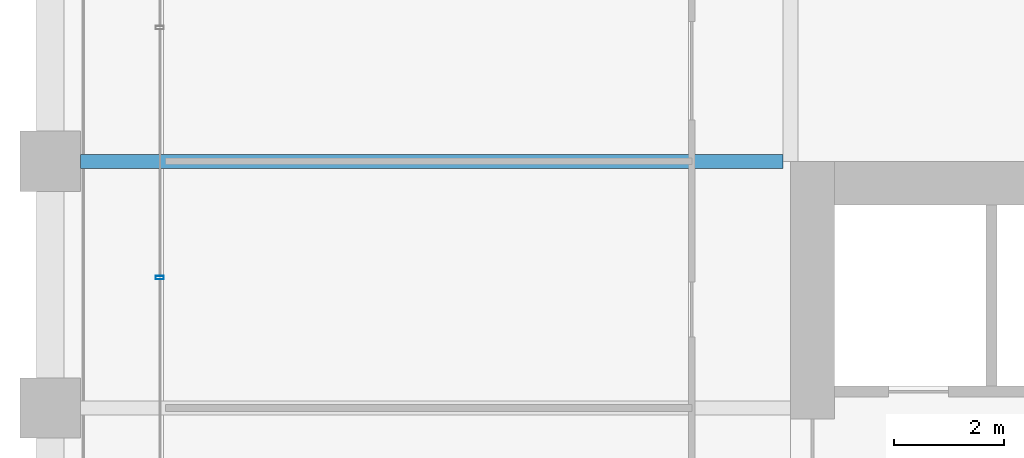
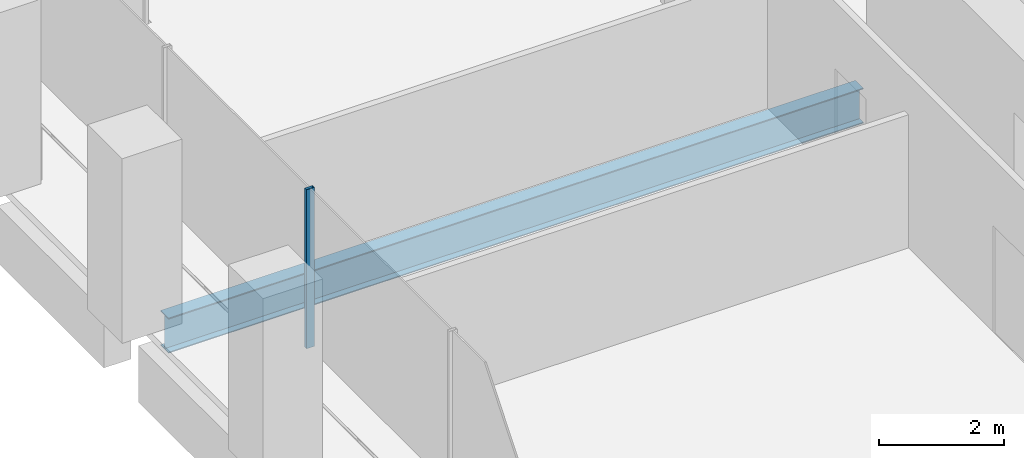
# One storey, part 14 of 56: 1 beam, 1 member, 1 element without a shape of its own.
"""IFC4 building model written with IfcOpenShell, lengths in metres."""

from ifc_helpers import new_model, si_unit, direction, frame, origin, origin_2d, place, context, subcontext, project, spatial, hollow_rectangle, i_section, extrude, material, material_profile, profile_set, type_object, element, aggregate, save


model = new_model("IFC4")

# Units and contexts
model_context = context("Model", 3, precision=1e-05, world=origin(), true_north=direction((0.0, 1.0)))
body_context = subcontext(model_context, "Body", "Model", "MODEL_VIEW")
ifc_project = project(units=[si_unit("LENGTHUNIT", "METRE"), si_unit("AREAUNIT", "SQUARE_METRE"), si_unit("VOLUMEUNIT", "CUBIC_METRE"), si_unit("PLANEANGLEUNIT", "RADIAN"), si_unit("MASSUNIT", "GRAM", prefix="KILO")], contexts=[model_context])

# Site, building, storey
site_placement = place(None, origin())
site = spatial("IfcSite", under=ifc_project, at=site_placement, CompositionType="ELEMENT")
building_placement = place(site_placement, origin())
building = spatial("IfcBuilding", under=site, at=building_placement, Name="Altepetl Exchange Towers", CompositionType="ELEMENT")
storey_placement = place(building_placement, frame((0.0, 0.0, 83.39990234375)))
storey = spatial("IfcBuildingStorey", under=building, at=storey_placement, Name="L20", CompositionType="ELEMENT", Elevation=83.39990234375)

# Beam
ifc_material_1 = material(Name="Steel S355", Category="steel")
ifc_material_profile_1 = material_profile(ifc_material_1, i_section(OverallWidth=0.25390625, OverallDepth=0.68408203125, WebThickness=0.012451171875, FlangeThickness=0.018798828125, at=origin_2d()), Name="W27X94")
ifc_profile_set_1 = profile_set([ifc_material_profile_1], Name="Steel S355")
beam_type = type_object("IfcBeamType", Name="Floor beam W27X94", PredefinedType="BEAM", material=ifc_profile_set_1)
beam_placement = place(storey_placement, frame((27.550048828125, 58.5, -0.491943359375), z_axis=(1.0, 0.0, 0.0), x_axis=(0.0, 1.0, 0.0)))
element("IfcBeam", 1, at=beam_placement, inside=storey, type_object=beam_type, Name="bm:A:L20:021", PredefinedType="BEAM", context=body_context, shape_type="SweptSolid", body=[
    extrude(i_section(OverallWidth=0.25390625, OverallDepth=0.68408203125, WebThickness=0.012451171875, FlangeThickness=0.018798828125, at=origin_2d()), origin(), (0.0, 0.0, 1.0), 12.81591796875),
])

# Curtain wall, member
ifc_material_2 = material(Name="Aluminium 6063-T6 glazing", Category="aluminium")
curtain_wall_type = type_object("IfcCurtainWallType", Name="Loggia glazing system", PredefinedType="NOTDEFINED", material=ifc_material_2)
curtain_wall_placement = place(storey_placement, origin())
curtain_wall = element("IfcCurtainWall", 2, at=curtain_wall_placement, inside=storey, type_object=curtain_wall_type, Name="CW1 run", PredefinedType="NOTDEFINED")
ifc_material_3 = material(Name="Aluminium 6063-T6", Category="aluminium")
ifc_material_profile_2 = material_profile(ifc_material_3, hollow_rectangle(XDim=0.06005859375, YDim=0.14990234375, WallThickness=0.0029296875, at=origin_2d()), Name="Mullion 60x150 aluminium")
ifc_profile_set_2 = profile_set([ifc_material_profile_2], Name="Aluminium 6063-T6")
member_type = type_object("IfcMemberType", Name="Mullion 60x150 aluminium", PredefinedType="MULLION", material=ifc_profile_set_2)
member_placement = place(storey_placement, frame((29.0, 56.378662109375, 0.0), z_axis=(0.0, 0.0, 1.0), x_axis=(0.0, -1.0, 0.0)))
member = element("IfcMember", 3, at=member_placement, type_object=member_type, Name="MU1 mullion", PredefinedType="MULLION", context=body_context, shape_type="SweptSolid", body=[
    extrude(hollow_rectangle(XDim=0.06005859375, YDim=0.14990234375, WallThickness=0.0029296875, at=origin_2d()), origin(), (0.0, 0.0, 1.0), 3.10009765625),
])
aggregate(curtain_wall, [member])

save(model, "model.ifc")
